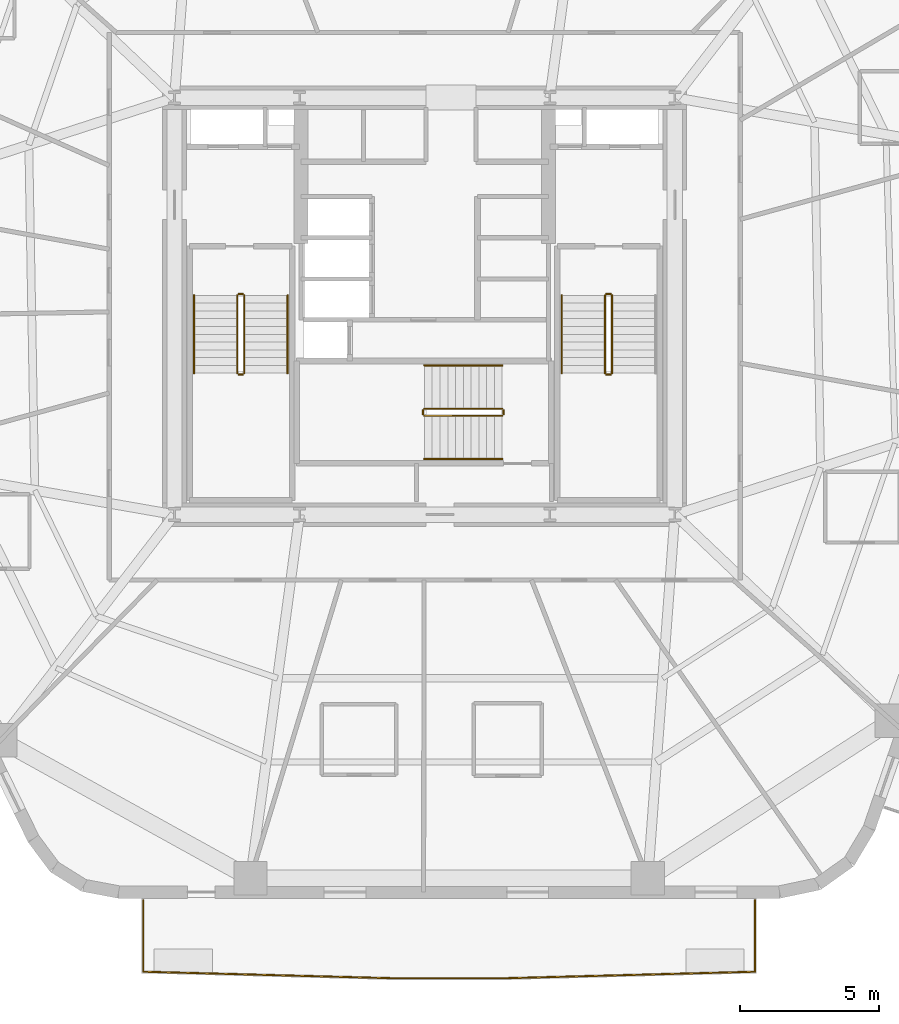
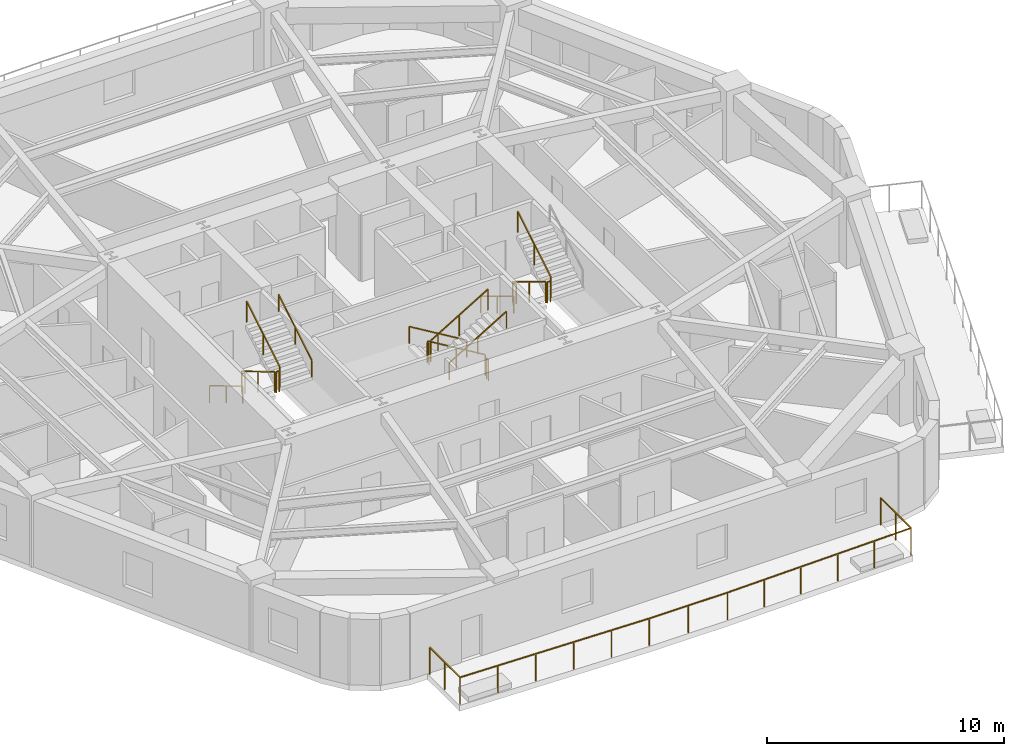
# One storey, part 7 of 8: 18 railings.
"""IFC4 building model written with IfcOpenShell, lengths in metres."""

from ifc_helpers import new_model, si_unit, direction, frame, origin, origin_2d, place, context, subcontext, project, spatial, rectangle, extrude, material, layer, layer_set, type_object, element, save


model = new_model("IFC4")

# Units and contexts
model_context = context("Model", 3, precision=1e-05, world=origin(), true_north=direction((0.0, 1.0)))
body_context = subcontext(model_context, "Body", "Model", "MODEL_VIEW")
ifc_project = project(units=[si_unit("LENGTHUNIT", "METRE"), si_unit("AREAUNIT", "SQUARE_METRE"), si_unit("VOLUMEUNIT", "CUBIC_METRE"), si_unit("PLANEANGLEUNIT", "RADIAN"), si_unit("MASSUNIT", "GRAM", prefix="KILO")], contexts=[model_context])

# Site, building, storey
site_placement = place(None, origin())
site = spatial("IfcSite", under=ifc_project, at=site_placement, CompositionType="ELEMENT")
building_placement = place(site_placement, origin())
building = spatial("IfcBuilding", under=site, at=building_placement, Name="Kilnhurst Terrace Hotel", CompositionType="ELEMENT")
storey_placement = place(building_placement, frame((0.0, 0.0, 102.5)))
storey = spatial("IfcBuildingStorey", under=building, at=storey_placement, Name="L24", CompositionType="ELEMENT", Elevation=102.5)

# Railings
ifc_material_1 = material(Name="Laminated SentryGlas and Stainless Steel AISI 316L Balustrade", Category="steel")
ifc_layer_1 = layer(ifc_material_1, 0.070068359375, Name="Laminated SentryGlas and Stainless Steel AISI 316L Balustrade")
ifc_layer_set_1 = layer_set([ifc_layer_1], Name="Laminated SentryGlas and Stainless Steel AISI 316L Balustrade")
railing_type_1 = type_object("IfcRailingType", Name="RLG-BAL-1420", PredefinedType="BALUSTRADE", material=ifc_layer_set_1)
railing_1_placement = place(storey_placement, frame((11.8837890625, -21.3798828125, 0.0)))
element("IfcRailing", 1, at=railing_1_placement, inside=storey, type_object=railing_type_1, Name="L24 Exterior Terrace Guardrail BAL-L1A.1", PredefinedType="BALUSTRADE", context=body_context, shape_type="SweptSolid", body=[
    extrude(rectangle(XDim=0.048095703125, YDim=0.048095703125, at=origin_2d()), frame((0.0, 0.0, 1.39599609375), z_axis=(0.0, -1.0, 0.0), x_axis=(1.0, 0.0, 0.0)), (0.0, 0.0, 1.0), 2.561767578125),
    extrude(rectangle(XDim=0.048095703125, YDim=0.048095703125, at=origin_2d()), frame((0.0, -2.561767578125, 1.39599609375), z_axis=(-0.999657105501, -0.026185328367, 0.0), x_axis=(0.026185328367, -0.999657105501, 0.0)), (0.0, 0.0, 1.0), 9.099853515625),
    extrude(rectangle(XDim=0.048095703125, YDim=0.048095703125, at=origin_2d()), frame((-9.0966796875, -2.800048828125, 1.39599609375), z_axis=(-1.0, 0.0, 0.0), x_axis=(0.0, -1.0, 0.0)), (0.0, 0.0, 1.0), 3.8134765625),
    extrude(rectangle(XDim=0.048095703125, YDim=0.048095703125, at=origin_2d()), frame((-12.91015625, -2.800048828125, 1.39599609375), z_axis=(-0.999657105501, 0.026185328367, 0.0), x_axis=(-0.026185328367, -0.999657105501, 0.0)), (0.0, 0.0, 1.0), 9.099853515625),
    extrude(rectangle(XDim=0.048095703125, YDim=0.048095703125, at=origin_2d()), frame((-22.0068359375, -2.561767578125, 1.39599609375), z_axis=(0.0, 1.0, 0.0), x_axis=(-1.0, 0.0, 0.0)), (0.0, 0.0, 1.0), 2.561767578125),
    extrude(rectangle(XDim=0.0419921875, YDim=0.0419921875, at=origin_2d()), origin(), (0.0, 0.0, 1.0), 1.371826171875),
    extrude(rectangle(XDim=0.0419921875, YDim=0.0419921875, at=origin_2d()), frame((0.0, -1.28076171875, 0.0)), (0.0, 0.0, 1.0), 1.371826171875),
    extrude(rectangle(XDim=0.0419921875, YDim=0.0419921875, at=origin_2d()), frame((0.0, -2.561767578125, 0.0)), (0.0, 0.0, 1.0), 1.371826171875),
    extrude(rectangle(XDim=0.0419921875, YDim=0.0419921875, at=origin_2d()), frame((-1.8193359375, -2.609375, 0.0)), (0.0, 0.0, 1.0), 1.371826171875),
    extrude(rectangle(XDim=0.0419921875, YDim=0.0419921875, at=origin_2d()), frame((-3.638671875, -2.656982421875, 0.0)), (0.0, 0.0, 1.0), 1.371826171875),
    extrude(rectangle(XDim=0.0419921875, YDim=0.0419921875, at=origin_2d()), frame((-5.4580078125, -2.704833984375, 0.0)), (0.0, 0.0, 1.0), 1.371826171875),
    extrude(rectangle(XDim=0.0419921875, YDim=0.0419921875, at=origin_2d()), frame((-7.27734375, -2.75244140625, 0.0)), (0.0, 0.0, 1.0), 1.371826171875),
    extrude(rectangle(XDim=0.0419921875, YDim=0.0419921875, at=origin_2d()), frame((-9.0966796875, -2.800048828125, 0.0)), (0.0, 0.0, 1.0), 1.371826171875),
    extrude(rectangle(XDim=0.0419921875, YDim=0.0419921875, at=origin_2d()), frame((-11.00341796875, -2.800048828125, 0.0)), (0.0, 0.0, 1.0), 1.371826171875),
    extrude(rectangle(XDim=0.0419921875, YDim=0.0419921875, at=origin_2d()), frame((-12.91015625, -2.800048828125, 0.0)), (0.0, 0.0, 1.0), 1.371826171875),
    extrude(rectangle(XDim=0.0419921875, YDim=0.0419921875, at=origin_2d()), frame((-14.7294921875, -2.75244140625, 0.0)), (0.0, 0.0, 1.0), 1.371826171875),
    extrude(rectangle(XDim=0.0419921875, YDim=0.0419921875, at=origin_2d()), frame((-16.548828125, -2.704833984375, 0.0)), (0.0, 0.0, 1.0), 1.371826171875),
    extrude(rectangle(XDim=0.0419921875, YDim=0.0419921875, at=origin_2d()), frame((-18.3681640625, -2.656982421875, 0.0)), (0.0, 0.0, 1.0), 1.371826171875),
    extrude(rectangle(XDim=0.0419921875, YDim=0.0419921875, at=origin_2d()), frame((-20.1875, -2.609375, 0.0)), (0.0, 0.0, 1.0), 1.371826171875),
    extrude(rectangle(XDim=0.0419921875, YDim=0.0419921875, at=origin_2d()), frame((-22.0068359375, -2.561767578125, 0.0)), (0.0, 0.0, 1.0), 1.371826171875),
    extrude(rectangle(XDim=0.0419921875, YDim=0.0419921875, at=origin_2d()), frame((-22.0068359375, -1.28076171875, 0.0)), (0.0, 0.0, 1.0), 1.371826171875),
    extrude(rectangle(XDim=0.0419921875, YDim=0.0419921875, at=origin_2d()), frame((-22.0068359375, 0.0, 0.0)), (0.0, 0.0, 1.0), 1.371826171875),
])
ifc_material_2 = material(Name="Powder-Coated Steel ASTM A500 Grade B", Category="steel")
ifc_layer_2 = layer(ifc_material_2, 0.050048828125, Name="Powder-Coated Steel ASTM A500 Grade B")
ifc_layer_set_2 = layer_set([ifc_layer_2], Name="Powder-Coated Steel ASTM A500 Grade B")
railing_type_2 = type_object("IfcRailingType", Name="RLG-ST-GRD-1100", PredefinedType="GUARDRAIL", material=ifc_layer_set_2)
railing_2_placement = place(storey_placement, frame((-6.739990234375, 0.389892578125, 0.168212890625)))
element("IfcRailing", 2, at=railing_2_placement, inside=storey, type_object=railing_type_2, Name="L24 ST-1 stair guard 1", PredefinedType="GUARDRAIL", context=body_context, shape_type="SweptSolid", body=[
    extrude(rectangle(XDim=0.048095703125, YDim=0.048095703125, at=origin_2d()), frame((0.0, 0.0, 1.076171875), z_axis=(0.0, -0.857222391501, 0.514946377315), x_axis=(1.0, 0.0, 0.0)), (0.0, 0.0, 1.0), 3.26611328125),
    extrude(rectangle(XDim=0.0419921875, YDim=0.0419921875, at=origin_2d()), origin(), (0.0, 0.0, 1.0), 1.052001953125),
    extrude(rectangle(XDim=0.0419921875, YDim=0.0419921875, at=origin_2d()), frame((0.0, -1.39990234375, 0.8408203125)), (0.0, 0.0, 1.0), 1.052001953125),
    extrude(rectangle(XDim=0.0419921875, YDim=0.0419921875, at=origin_2d()), frame((0.0, -2.7998046875, 1.681884765625)), (0.0, 0.0, 1.0), 1.052001953125),
])
railing_3_placement = place(storey_placement, frame((-6.68994140625, -2.4599609375, 1.85009765625)))
element("IfcRailing", 3, at=railing_3_placement, inside=storey, type_object=railing_type_2, Name="L24 ST-1 stair guard 2", PredefinedType="GUARDRAIL", context=body_context, shape_type="SweptSolid", body=[
    extrude(rectangle(XDim=0.048095703125, YDim=0.048095703125, at=origin_2d()), frame((0.0, 0.0, 1.076171875), z_axis=(1.0, 0.0, 0.0), x_axis=(0.0, 1.0, 0.0)), (0.0, 0.0, 1.0), 0.14990234375),
    extrude(rectangle(XDim=0.0419921875, YDim=0.0419921875, at=origin_2d()), origin(), (0.0, 0.0, 1.0), 1.052001953125),
    extrude(rectangle(XDim=0.0419921875, YDim=0.0419921875, at=origin_2d()), frame((0.14990234375, 0.0, 0.0)), (0.0, 0.0, 1.0), 1.052001953125),
])
railing_4_placement = place(storey_placement, frame((-6.489990234375, -2.409912109375, 2.01806640625)))
element("IfcRailing", 4, at=railing_4_placement, inside=storey, type_object=railing_type_2, Name="L24 ST-1 stair guard 3", PredefinedType="GUARDRAIL", context=body_context, shape_type="SweptSolid", body=[
    extrude(rectangle(XDim=0.048095703125, YDim=0.048095703125, at=origin_2d()), frame((0.0, 0.0, 1.076171875), z_axis=(0.0, 0.857222391501, 0.514946377315), x_axis=(-1.0, 0.0, 0.0)), (0.0, 0.0, 1.0), 3.26611328125),
    extrude(rectangle(XDim=0.0419921875, YDim=0.0419921875, at=origin_2d()), origin(), (0.0, 0.0, 1.0), 1.052001953125),
    extrude(rectangle(XDim=0.0419921875, YDim=0.0419921875, at=origin_2d()), frame((0.0, 1.39990234375, 0.8408203125)), (0.0, 0.0, 1.0), 1.052001953125),
    extrude(rectangle(XDim=0.0419921875, YDim=0.0419921875, at=origin_2d()), frame((0.0, 2.7998046875, 1.681884765625)), (0.0, 0.0, 1.0), 1.052001953125),
])
railing_5_placement = place(storey_placement, frame((-6.68994140625, 0.43994140625, 0.0)))
element("IfcRailing", 5, at=railing_5_placement, inside=storey, type_object=railing_type_2, Name="L24 ST-1 stair guard 4", PredefinedType="GUARDRAIL", context=body_context, shape_type="SweptSolid", body=[
    extrude(rectangle(XDim=0.048095703125, YDim=0.048095703125, at=origin_2d()), frame((0.0, 0.0, 1.076171875), z_axis=(1.0, 0.0, 0.0), x_axis=(0.0, 1.0, 0.0)), (0.0, 0.0, 1.0), 0.14990234375),
    extrude(rectangle(XDim=0.0419921875, YDim=0.0419921875, at=origin_2d()), origin(), (0.0, 0.0, 1.0), 1.052001953125),
    extrude(rectangle(XDim=0.0419921875, YDim=0.0419921875, at=origin_2d()), frame((0.14990234375, 0.0, 0.0)), (0.0, 0.0, 1.0), 1.052001953125),
])
railing_6_placement = place(storey_placement, frame((6.489990234375, 0.389892578125, 0.168212890625)))
element("IfcRailing", 6, at=railing_6_placement, inside=storey, type_object=railing_type_2, Name="L24 ST-2 stair guard 1", PredefinedType="GUARDRAIL", context=body_context, shape_type="SweptSolid", body=[
    extrude(rectangle(XDim=0.048095703125, YDim=0.048095703125, at=origin_2d()), frame((0.0, 0.0, 1.076171875), z_axis=(0.0, -0.857222391501, 0.514946377315), x_axis=(1.0, 0.0, 0.0)), (0.0, 0.0, 1.0), 3.26611328125),
    extrude(rectangle(XDim=0.0419921875, YDim=0.0419921875, at=origin_2d()), origin(), (0.0, 0.0, 1.0), 1.052001953125),
    extrude(rectangle(XDim=0.0419921875, YDim=0.0419921875, at=origin_2d()), frame((0.0, -1.39990234375, 0.8408203125)), (0.0, 0.0, 1.0), 1.052001953125),
    extrude(rectangle(XDim=0.0419921875, YDim=0.0419921875, at=origin_2d()), frame((0.0, -2.7998046875, 1.681884765625)), (0.0, 0.0, 1.0), 1.052001953125),
])
railing_7_placement = place(storey_placement, frame((6.5400390625, -2.4599609375, 1.85009765625)))
element("IfcRailing", 7, at=railing_7_placement, inside=storey, type_object=railing_type_2, Name="L24 ST-2 stair guard 2", PredefinedType="GUARDRAIL", context=body_context, shape_type="SweptSolid", body=[
    extrude(rectangle(XDim=0.048095703125, YDim=0.048095703125, at=origin_2d()), frame((0.0, 0.0, 1.076171875), z_axis=(1.0, 0.0, 0.0), x_axis=(0.0, 1.0, 0.0)), (0.0, 0.0, 1.0), 0.14990234375),
    extrude(rectangle(XDim=0.0419921875, YDim=0.0419921875, at=origin_2d()), origin(), (0.0, 0.0, 1.0), 1.052001953125),
    extrude(rectangle(XDim=0.0419921875, YDim=0.0419921875, at=origin_2d()), frame((0.14990234375, 0.0, 0.0)), (0.0, 0.0, 1.0), 1.052001953125),
])
railing_8_placement = place(storey_placement, frame((6.739990234375, -2.409912109375, 2.01806640625)))
element("IfcRailing", 8, at=railing_8_placement, inside=storey, type_object=railing_type_2, Name="L24 ST-2 stair guard 3", PredefinedType="GUARDRAIL", context=body_context, shape_type="SweptSolid", body=[
    extrude(rectangle(XDim=0.048095703125, YDim=0.048095703125, at=origin_2d()), frame((0.0, 0.0, 1.076171875), z_axis=(0.0, 0.857222391501, 0.514946377315), x_axis=(-1.0, 0.0, 0.0)), (0.0, 0.0, 1.0), 3.26611328125),
    extrude(rectangle(XDim=0.0419921875, YDim=0.0419921875, at=origin_2d()), origin(), (0.0, 0.0, 1.0), 1.052001953125),
    extrude(rectangle(XDim=0.0419921875, YDim=0.0419921875, at=origin_2d()), frame((0.0, 1.39990234375, 0.8408203125)), (0.0, 0.0, 1.0), 1.052001953125),
    extrude(rectangle(XDim=0.0419921875, YDim=0.0419921875, at=origin_2d()), frame((0.0, 2.7998046875, 1.681884765625)), (0.0, 0.0, 1.0), 1.052001953125),
])
railing_9_placement = place(storey_placement, frame((6.5400390625, 0.43994140625, 0.0)))
element("IfcRailing", 9, at=railing_9_placement, inside=storey, type_object=railing_type_2, Name="L24 ST-2 stair guard 4", PredefinedType="GUARDRAIL", context=body_context, shape_type="SweptSolid", body=[
    extrude(rectangle(XDim=0.048095703125, YDim=0.048095703125, at=origin_2d()), frame((0.0, 0.0, 1.076171875), z_axis=(1.0, 0.0, 0.0), x_axis=(0.0, 1.0, 0.0)), (0.0, 0.0, 1.0), 0.14990234375),
    extrude(rectangle(XDim=0.0419921875, YDim=0.0419921875, at=origin_2d()), origin(), (0.0, 0.0, 1.0), 1.052001953125),
    extrude(rectangle(XDim=0.0419921875, YDim=0.0419921875, at=origin_2d()), frame((0.14990234375, 0.0, 0.0)), (0.0, 0.0, 1.0), 1.052001953125),
])
railing_10_placement = place(storey_placement, frame((2.7900390625, -3.68994140625, 0.168212890625)))
element("IfcRailing", 10, at=railing_10_placement, inside=storey, type_object=railing_type_2, Name="L24 ST-3 stair guard 1", PredefinedType="GUARDRAIL", context=body_context, shape_type="SweptSolid", body=[
    extrude(rectangle(XDim=0.048095703125, YDim=0.048095703125, at=origin_2d()), frame((0.0, 0.0, 1.076171875), z_axis=(-0.857242210791, 0.0, 0.514913383045), x_axis=(0.0, -1.0, 0.0)), (0.0, 0.0, 1.0), 3.266357421875),
    extrude(rectangle(XDim=0.0419921875, YDim=0.0419921875, at=origin_2d()), origin(), (0.0, 0.0, 1.0), 1.052001953125),
    extrude(rectangle(XDim=0.0419921875, YDim=0.0419921875, at=origin_2d()), frame((-1.39990234375, 0.0, 0.8408203125)), (0.0, 0.0, 1.0), 1.052001953125),
    extrude(rectangle(XDim=0.0419921875, YDim=0.0419921875, at=origin_2d()), frame((-2.800048828125, 0.0, 1.681884765625)), (0.0, 0.0, 1.0), 1.052001953125),
])
railing_11_placement = place(storey_placement, frame((-0.06005859375, -3.739990234375, 1.85009765625)))
element("IfcRailing", 11, at=railing_11_placement, inside=storey, type_object=railing_type_2, Name="L24 ST-3 stair guard 2", PredefinedType="GUARDRAIL", context=body_context, shape_type="SweptSolid", body=[
    extrude(rectangle(XDim=0.048095703125, YDim=0.048095703125, at=origin_2d()), frame((0.0, 0.0, 1.076171875), z_axis=(0.0, -1.0, 0.0), x_axis=(1.0, 0.0, 0.0)), (0.0, 0.0, 1.0), 0.14990234375),
    extrude(rectangle(XDim=0.0419921875, YDim=0.0419921875, at=origin_2d()), origin(), (0.0, 0.0, 1.0), 1.052001953125),
    extrude(rectangle(XDim=0.0419921875, YDim=0.0419921875, at=origin_2d()), frame((0.0, -0.14990234375, 0.0)), (0.0, 0.0, 1.0), 1.052001953125),
])
railing_12_placement = place(storey_placement, frame((-0.010009765625, -3.93994140625, 2.01806640625)))
element("IfcRailing", 12, at=railing_12_placement, inside=storey, type_object=railing_type_2, Name="L24 ST-3 stair guard 3", PredefinedType="GUARDRAIL", context=body_context, shape_type="SweptSolid", body=[
    extrude(rectangle(XDim=0.048095703125, YDim=0.048095703125, at=origin_2d()), frame((0.0, 0.0, 1.076171875), z_axis=(0.857242210791, 0.0, 0.514913383045), x_axis=(0.0, 1.0, 0.0)), (0.0, 0.0, 1.0), 3.266357421875),
    extrude(rectangle(XDim=0.0419921875, YDim=0.0419921875, at=origin_2d()), origin(), (0.0, 0.0, 1.0), 1.052001953125),
    extrude(rectangle(XDim=0.0419921875, YDim=0.0419921875, at=origin_2d()), frame((1.39990234375, 0.0, 0.8408203125)), (0.0, 0.0, 1.0), 1.052001953125),
    extrude(rectangle(XDim=0.0419921875, YDim=0.0419921875, at=origin_2d()), frame((2.800048828125, 0.0, 1.681884765625)), (0.0, 0.0, 1.0), 1.052001953125),
])
railing_13_placement = place(storey_placement, frame((2.840087890625, -3.739990234375, 0.0)))
element("IfcRailing", 13, at=railing_13_placement, inside=storey, type_object=railing_type_2, Name="L24 ST-3 stair guard 4", PredefinedType="GUARDRAIL", context=body_context, shape_type="SweptSolid", body=[
    extrude(rectangle(XDim=0.048095703125, YDim=0.048095703125, at=origin_2d()), frame((0.0, 0.0, 1.076171875), z_axis=(0.0, -1.0, 0.0), x_axis=(1.0, 0.0, 0.0)), (0.0, 0.0, 1.0), 0.14990234375),
    extrude(rectangle(XDim=0.0419921875, YDim=0.0419921875, at=origin_2d()), origin(), (0.0, 0.0, 1.0), 1.052001953125),
    extrude(rectangle(XDim=0.0419921875, YDim=0.0419921875, at=origin_2d()), frame((0.0, -0.14990234375, 0.0)), (0.0, 0.0, 1.0), 1.052001953125),
])
ifc_material_3 = material(Name="Brushed Stainless Steel AISI 304", Category="steel")
ifc_layer_3 = layer(ifc_material_3, 0.048095703125, Name="Brushed Stainless Steel AISI 304")
ifc_layer_set_3 = layer_set([ifc_layer_3], Name="Brushed Stainless Steel AISI 304")
railing_type_3 = type_object("IfcRailingType", Name="RLG-ST-HRL-900", PredefinedType="HANDRAIL", material=ifc_layer_set_3)
railing_14_placement = place(storey_placement, frame((-8.300048828125, 0.389892578125, 0.168212890625)))
element("IfcRailing", 14, at=railing_14_placement, inside=storey, type_object=railing_type_3, Name="L24 ST-1 stair handrail 1", PredefinedType="HANDRAIL", context=body_context, shape_type="SweptSolid", body=[
    extrude(rectangle(XDim=0.048095703125, YDim=0.048095703125, at=origin_2d()), frame((0.0, 0.0, 0.8759765625), z_axis=(0.0, -0.857222391501, 0.514946377315), x_axis=(1.0, 0.0, 0.0)), (0.0, 0.0, 1.0), 3.26611328125),
    extrude(rectangle(XDim=0.0419921875, YDim=0.0419921875, at=origin_2d()), origin(), (0.0, 0.0, 1.0), 0.851806640625),
    extrude(rectangle(XDim=0.0419921875, YDim=0.0419921875, at=origin_2d()), frame((0.0, -1.39990234375, 0.8408203125)), (0.0, 0.0, 1.0), 0.851806640625),
    extrude(rectangle(XDim=0.0419921875, YDim=0.0419921875, at=origin_2d()), frame((0.0, -2.7998046875, 1.681884765625)), (0.0, 0.0, 1.0), 0.851806640625),
])
railing_15_placement = place(storey_placement, frame((-4.929931640625, -2.409912109375, 2.01806640625)))
element("IfcRailing", 15, at=railing_15_placement, inside=storey, type_object=railing_type_3, Name="L24 ST-1 stair handrail 2", PredefinedType="HANDRAIL", context=body_context, shape_type="SweptSolid", body=[
    extrude(rectangle(XDim=0.048095703125, YDim=0.048095703125, at=origin_2d()), frame((0.0, 0.0, 0.8759765625), z_axis=(0.0, 0.857222391501, 0.514946377315), x_axis=(-1.0, 0.0, 0.0)), (0.0, 0.0, 1.0), 3.26611328125),
    extrude(rectangle(XDim=0.0419921875, YDim=0.0419921875, at=origin_2d()), origin(), (0.0, 0.0, 1.0), 0.851806640625),
    extrude(rectangle(XDim=0.0419921875, YDim=0.0419921875, at=origin_2d()), frame((0.0, 1.39990234375, 0.8408203125)), (0.0, 0.0, 1.0), 0.851806640625),
    extrude(rectangle(XDim=0.0419921875, YDim=0.0419921875, at=origin_2d()), frame((0.0, 2.7998046875, 1.681884765625)), (0.0, 0.0, 1.0), 0.851806640625),
])
railing_16_placement = place(storey_placement, frame((4.929931640625, 0.389892578125, 0.168212890625)))
element("IfcRailing", 16, at=railing_16_placement, inside=storey, type_object=railing_type_3, Name="L24 ST-2 stair handrail 1", PredefinedType="HANDRAIL", context=body_context, shape_type="SweptSolid", body=[
    extrude(rectangle(XDim=0.048095703125, YDim=0.048095703125, at=origin_2d()), frame((0.0, 0.0, 0.8759765625), z_axis=(0.0, -0.857222391501, 0.514946377315), x_axis=(1.0, 0.0, 0.0)), (0.0, 0.0, 1.0), 3.26611328125),
    extrude(rectangle(XDim=0.0419921875, YDim=0.0419921875, at=origin_2d()), origin(), (0.0, 0.0, 1.0), 0.851806640625),
    extrude(rectangle(XDim=0.0419921875, YDim=0.0419921875, at=origin_2d()), frame((0.0, -1.39990234375, 0.8408203125)), (0.0, 0.0, 1.0), 0.851806640625),
    extrude(rectangle(XDim=0.0419921875, YDim=0.0419921875, at=origin_2d()), frame((0.0, -2.7998046875, 1.681884765625)), (0.0, 0.0, 1.0), 0.851806640625),
])
railing_17_placement = place(storey_placement, frame((2.7900390625, -2.1298828125, 0.168212890625)))
element("IfcRailing", 17, at=railing_17_placement, inside=storey, type_object=railing_type_3, Name="L24 ST-3 stair handrail 1", PredefinedType="HANDRAIL", context=body_context, shape_type="SweptSolid", body=[
    extrude(rectangle(XDim=0.048095703125, YDim=0.048095703125, at=origin_2d()), frame((0.0, 0.0, 0.8759765625), z_axis=(-0.857242210791, 0.0, 0.514913383045), x_axis=(0.0, -1.0, 0.0)), (0.0, 0.0, 1.0), 3.266357421875),
    extrude(rectangle(XDim=0.0419921875, YDim=0.0419921875, at=origin_2d()), origin(), (0.0, 0.0, 1.0), 0.851806640625),
    extrude(rectangle(XDim=0.0419921875, YDim=0.0419921875, at=origin_2d()), frame((-1.39990234375, 0.0, 0.8408203125)), (0.0, 0.0, 1.0), 0.851806640625),
    extrude(rectangle(XDim=0.0419921875, YDim=0.0419921875, at=origin_2d()), frame((-2.800048828125, 0.0, 1.681884765625)), (0.0, 0.0, 1.0), 0.851806640625),
])
railing_18_placement = place(storey_placement, frame((-0.010009765625, -5.5, 2.01806640625)))
element("IfcRailing", 18, at=railing_18_placement, inside=storey, type_object=railing_type_3, Name="L24 ST-3 stair handrail 2", PredefinedType="HANDRAIL", context=body_context, shape_type="SweptSolid", body=[
    extrude(rectangle(XDim=0.048095703125, YDim=0.048095703125, at=origin_2d()), frame((0.0, 0.0, 0.8759765625), z_axis=(0.857242210791, 0.0, 0.514913383045), x_axis=(0.0, 1.0, 0.0)), (0.0, 0.0, 1.0), 3.266357421875),
    extrude(rectangle(XDim=0.0419921875, YDim=0.0419921875, at=origin_2d()), origin(), (0.0, 0.0, 1.0), 0.851806640625),
    extrude(rectangle(XDim=0.0419921875, YDim=0.0419921875, at=origin_2d()), frame((1.39990234375, 0.0, 0.8408203125)), (0.0, 0.0, 1.0), 0.851806640625),
    extrude(rectangle(XDim=0.0419921875, YDim=0.0419921875, at=origin_2d()), frame((2.800048828125, 0.0, 1.681884765625)), (0.0, 0.0, 1.0), 0.851806640625),
])

save(model, "model.ifc")
